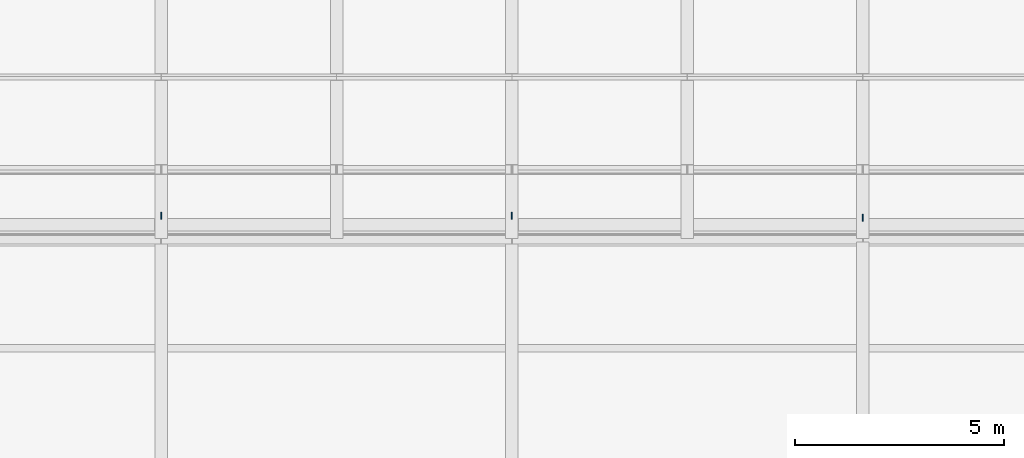
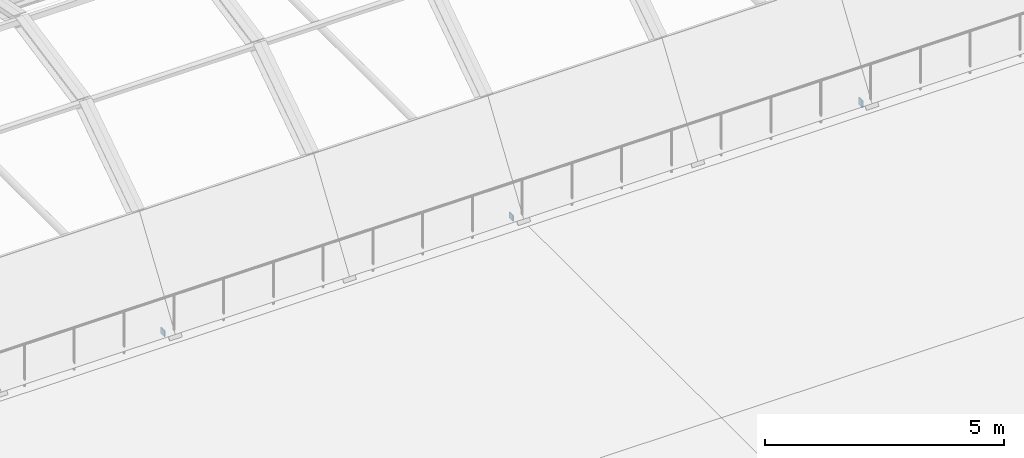
# One storey, part 47 of 58: 3 discrete accessories.
"""IFC4 building model written with IfcOpenShell, lengths in metres."""

from ifc_helpers import new_model, si_unit, direction, frame, origin, origin_2d, place, context, subcontext, project, spatial, rectangle, extrude, material, layer, layer_set, type_object, element, save


model = new_model("IFC4")

# Units and contexts
model_context = context("Model", 3, precision=1e-05, world=origin(), true_north=direction((0.0, 1.0)))
body_context = subcontext(model_context, "Body", "Model", "MODEL_VIEW")
ifc_project = project(units=[si_unit("LENGTHUNIT", "METRE"), si_unit("AREAUNIT", "SQUARE_METRE"), si_unit("VOLUMEUNIT", "CUBIC_METRE"), si_unit("PLANEANGLEUNIT", "RADIAN"), si_unit("MASSUNIT", "GRAM", prefix="KILO")], contexts=[model_context])

# Site, building, storey
site_placement = place(None, origin())
site = spatial("IfcSite", under=ifc_project, at=site_placement, CompositionType="ELEMENT")
building_placement = place(site_placement, origin())
building = spatial("IfcBuilding", under=site, at=building_placement, Name="Galleria Vessillo Department Store", CompositionType="ELEMENT")
storey_placement = place(building_placement, frame((0.0, 0.0, 31.199951171875)))
storey = spatial("IfcBuildingStorey", under=building, at=storey_placement, Name="L06", CompositionType="ELEMENT", Elevation=31.199951171875)

# Discrete accessories
ifc_material_1 = material(Name="Steel S355 J2", Category="steel")
ifc_layer_1 = layer(ifc_material_1, 0.02490234375)
ifc_layer_set_1 = layer_set([ifc_layer_1], Name="Steel S355 J2")
discrete_accessory_type_1 = type_object("IfcDiscreteAccessoryType", Name="Vault tie gusset and cap bracket CN15", PredefinedType="BRACKET", material=ifc_layer_set_1)
for number, where, z_axis, x_axis, name in (
    (1, (75.60009765625, 25.570068359375, -0.224853515625), (0.0, 0.0, 1.0), (1.0, 0.0, 0.0), "Vault tie connection bracket S-VT-0756 south"),
    (2, (84.0, 25.570068359375, -0.224853515625), (0.0, 0.0, 1.0), (1.0, 0.0, 0.0), "Vault tie connection bracket S-VT-0840 south"),
):
    element("IfcDiscreteAccessory", number, at=place(storey_placement, frame(where, z_axis=z_axis, x_axis=x_axis)), inside=storey, type_object=discrete_accessory_type_1, Name=name, PredefinedType="BRACKET", context=body_context, shape_type="SweptSolid", body=[
        extrude(rectangle(XDim=0.02490234375, YDim=0.159912109375, at=origin_2d()), origin(), (0.0, 0.0, 1.0), 0.14990234375),
    ])
ifc_material_2 = material(Name="Steel S355 J2", Category="steel")
ifc_layer_2 = layer(ifc_material_2, 0.030029296875)
ifc_layer_set_2 = layer_set([ifc_layer_2], Name="Steel S355 J2")
discrete_accessory_type_2 = type_object("IfcDiscreteAccessoryType", Name="Vault tie gusset bracket CN6", PredefinedType="BRACKET", material=ifc_layer_set_2)
discrete_accessory_placement = place(storey_placement, frame((92.39990234375, 25.52197265625, -0.23974609375), z_axis=(0.0, 0.0, 1.0), x_axis=(1.0, 0.0, 0.0)))
element("IfcDiscreteAccessory", 3, at=discrete_accessory_placement, inside=storey, type_object=discrete_accessory_type_2, Name="Vault tie connection bracket S-VT-0924 south", PredefinedType="BRACKET", context=body_context, shape_type="SweptSolid", body=[
    extrude(rectangle(XDim=0.030029296875, YDim=0.159912109375, at=origin_2d()), origin(), (0.0, 0.0, 1.0), 0.179931640625),
])

save(model, "model.ifc")
